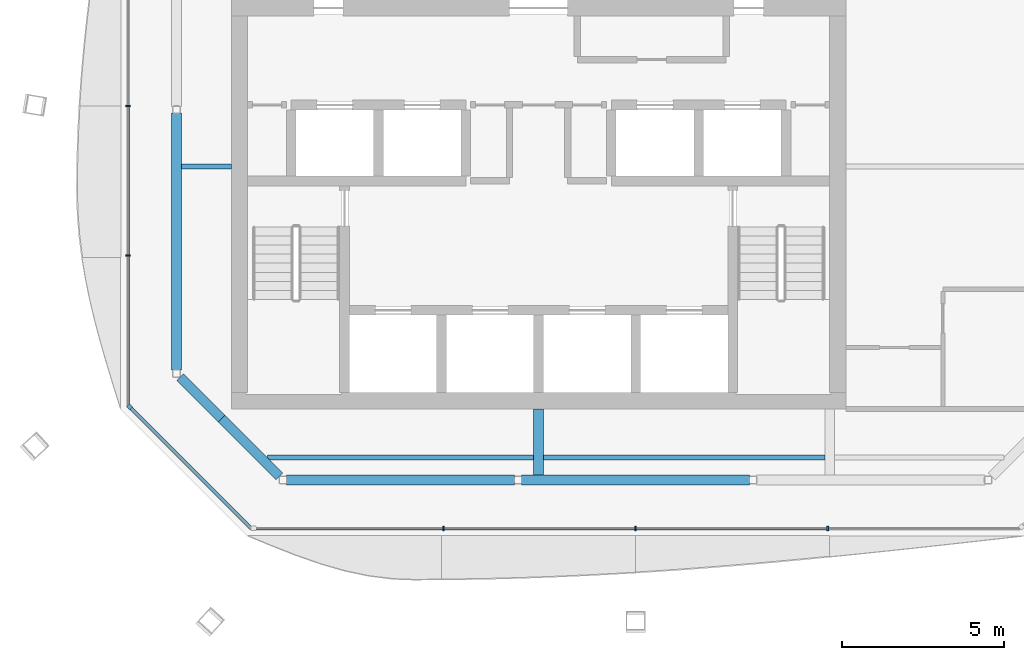
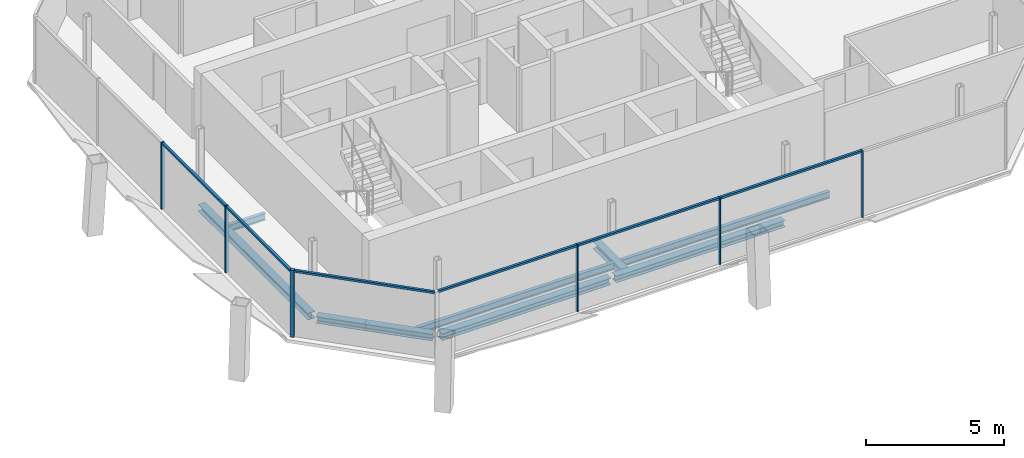
# One storey, part 3 of 13: 12 members, 9 beams, 3 elements without a shape of their own.
"""IFC4 building model written with IfcOpenShell, lengths in metres."""

from ifc_helpers import new_model, si_unit, direction, frame, origin, origin_2d, place, context, subcontext, project, spatial, rectangle, i_section, extrude, material, material_profile, profile_set, type_object, element, aggregate, save


model = new_model("IFC4")

# Units and contexts
model_context = context("Model", 3, precision=1e-05, world=origin(), true_north=direction((0.0, 1.0)))
body_context = subcontext(model_context, "Body", "Model", "MODEL_VIEW")
ifc_project = project(units=[si_unit("LENGTHUNIT", "METRE"), si_unit("AREAUNIT", "SQUARE_METRE"), si_unit("VOLUMEUNIT", "CUBIC_METRE"), si_unit("PLANEANGLEUNIT", "RADIAN"), si_unit("MASSUNIT", "GRAM", prefix="KILO")], contexts=[model_context])

# Site, building, storey
site_placement = place(None, origin())
site = spatial("IfcSite", under=ifc_project, at=site_placement, CompositionType="ELEMENT")
building_placement = place(site_placement, origin())
building = spatial("IfcBuilding", under=site, at=building_placement, Name="Tskaro Facet Tower", CompositionType="ELEMENT")
storey_placement = place(building_placement, frame((0.0, 0.0, 281.550048828125)))
storey = spatial("IfcBuildingStorey", under=building, at=storey_placement, Name="L75", CompositionType="ELEMENT", Elevation=281.550048828125)

# Curtain wall, member
ifc_material_1 = material(Name="Bronze anodised aluminium 6063-T6", Category="aluminium")
curtain_wall_type = type_object("IfcCurtainWallType", Name="Bronze residence curtain wall (FW3)", PredefinedType="NOTDEFINED", material=ifc_material_1)
curtain_wall_1_placement = place(storey_placement, origin())
curtain_wall_1 = element("IfcCurtainWall", 1, at=curtain_wall_1_placement, inside=storey, type_object=curtain_wall_type, Name="FW3 south-west facet L75", PredefinedType="NOTDEFINED")
ifc_material_profile_1 = material_profile(ifc_material_1, rectangle(XDim=0.139892578125, YDim=0.139892578125, at=origin_2d()), Name="Corner post 140x140")
ifc_profile_set_1 = profile_set([ifc_material_profile_1], Name="Bronze anodised aluminium 6063-T6")
member_type_1 = type_object("IfcMemberType", Name="FW3 bronze corner post 140x140", PredefinedType="MULLION", material=ifc_profile_set_1)
member_1_placement = place(storey_placement, frame((-12.6484375, -11.9365234375, 0.0), z_axis=(0.0, 0.0, 1.0), x_axis=(0.707106781187, -0.707106781187, 0.0)))
member_1 = element("IfcMember", 2, at=member_1_placement, type_object=member_type_1, Name="FW3 south-west corner post", PredefinedType="MULLION", context=body_context, shape_type="SweptSolid", body=[
    extrude(rectangle(XDim=0.139892578125, YDim=0.139892578125, at=origin_2d()), origin(), (0.0, 0.0, 1.0), 2.949951171875),
])

# Curtain wall, members
curtain_wall_2_placement = place(storey_placement, origin())
curtain_wall_2 = element("IfcCurtainWall", 3, at=curtain_wall_2_placement, inside=storey, type_object=curtain_wall_type, Name="FW3 south facet L75", PredefinedType="NOTDEFINED")
ifc_material_profile_2 = material_profile(ifc_material_1, rectangle(XDim=0.050048828125, YDim=0.139892578125, at=origin_2d()), Name="Mullion 50x140")
ifc_profile_set_2 = profile_set([ifc_material_profile_2], Name="Bronze anodised aluminium 6063-T6")
member_type_2 = type_object("IfcMemberType", Name="FW3 bronze mullion 50x140", PredefinedType="MULLION", material=ifc_profile_set_2)
member_2_placement = place(storey_placement, frame((-2.943603515625, -15.697998046875, 0.0), z_axis=(0.0, 0.0, 1.0), x_axis=(1.0, 0.0, 0.0)))
member_2 = element("IfcMember", 4, at=member_2_placement, type_object=member_type_2, Name="FW3 south mullion 1", PredefinedType="MULLION", context=body_context, shape_type="SweptSolid", body=[
    extrude(rectangle(XDim=0.050048828125, YDim=0.139892578125, at=origin_2d()), origin(), (0.0, 0.0, 1.0), 2.949951171875),
])
member_3_placement = place(storey_placement, frame((3.0, -15.697998046875, 0.0), z_axis=(0.0, 0.0, 1.0), x_axis=(1.0, 0.0, 0.0)))
member_3 = element("IfcMember", 5, at=member_3_placement, type_object=member_type_2, Name="FW3 south mullion 2", PredefinedType="MULLION", context=body_context, shape_type="SweptSolid", body=[
    extrude(rectangle(XDim=0.050048828125, YDim=0.139892578125, at=origin_2d()), origin(), (0.0, 0.0, 1.0), 2.949951171875),
])
member_4_placement = place(storey_placement, frame((8.943603515625, -15.697998046875, 0.0), z_axis=(0.0, 0.0, 1.0), x_axis=(1.0, 0.0, 0.0)))
member_4 = element("IfcMember", 6, at=member_4_placement, type_object=member_type_2, Name="FW3 south mullion 3", PredefinedType="MULLION", context=body_context, shape_type="SweptSolid", body=[
    extrude(rectangle(XDim=0.050048828125, YDim=0.139892578125, at=origin_2d()), origin(), (0.0, 0.0, 1.0), 2.949951171875),
])

curtain_wall_3_placement = place(storey_placement, origin())
curtain_wall_3 = element("IfcCurtainWall", 7, at=curtain_wall_3_placement, inside=storey, type_object=curtain_wall_type, Name="FW3 west facet L75", PredefinedType="NOTDEFINED")
member_5_placement = place(storey_placement, frame((-12.697998046875, -2.630615234375, 0.0), z_axis=(0.0, 0.0, 1.0), x_axis=(0.0, -1.0, 0.0)))
member_5 = element("IfcMember", 8, at=member_5_placement, type_object=member_type_2, Name="FW3 west mullion 2", PredefinedType="MULLION", context=body_context, shape_type="SweptSolid", body=[
    extrude(rectangle(XDim=0.050048828125, YDim=0.139892578125, at=origin_2d()), origin(), (0.0, 0.0, 1.0), 2.949951171875),
])
member_6_placement = place(storey_placement, frame((-12.697998046875, -7.2587890625, 0.0), z_axis=(0.0, 0.0, 1.0), x_axis=(0.0, -1.0, 0.0)))
member_6 = element("IfcMember", 9, at=member_6_placement, type_object=member_type_2, Name="FW3 west mullion 3", PredefinedType="MULLION", context=body_context, shape_type="SweptSolid", body=[
    extrude(rectangle(XDim=0.050048828125, YDim=0.139892578125, at=origin_2d()), origin(), (0.0, 0.0, 1.0), 2.949951171875),
])

# Member
ifc_material_profile_3 = material_profile(ifc_material_1, rectangle(XDim=0.10009765625, YDim=0.090087890625, at=origin_2d()), Name="Transom 100x90")
ifc_profile_set_3 = profile_set([ifc_material_profile_3], Name="Bronze anodised aluminium 6063-T6")
member_type_3 = type_object("IfcMemberType", Name="FW3 bronze transom 100x90", PredefinedType="USERDEFINED", material=ifc_profile_set_3)
member_7_placement = place(storey_placement, frame((-8.7470703125, -15.697998046875, 2.905029296875), z_axis=(1.0, 0.0, 0.0), x_axis=(0.0, 1.0, 0.0)))
member_7 = element("IfcMember", 10, at=member_7_placement, type_object=member_type_3, Name="FW3 south transom 1.1", ObjectType="TRANSOM", PredefinedType="USERDEFINED", context=body_context, shape_type="SweptSolid", body=[
    extrude(rectangle(XDim=0.10009765625, YDim=0.090087890625, at=origin_2d()), origin(), (0.0, 0.0, 1.0), 5.778564453125),
])

member_8_placement = place(storey_placement, frame((-2.91845703125, -15.697998046875, 2.905029296875), z_axis=(1.0, 0.0, 0.0), x_axis=(0.0, 1.0, 0.0)))
member_8 = element("IfcMember", 11, at=member_8_placement, type_object=member_type_3, Name="FW3 south transom 2.1", ObjectType="TRANSOM", PredefinedType="USERDEFINED", context=body_context, shape_type="SweptSolid", body=[
    extrude(rectangle(XDim=0.10009765625, YDim=0.090087890625, at=origin_2d()), origin(), (0.0, 0.0, 1.0), 5.8935546875),
])

member_9_placement = place(storey_placement, frame((3.02490234375, -15.697998046875, 2.905029296875), z_axis=(1.0, 0.0, 0.0), x_axis=(0.0, 1.0, 0.0)))
member_9 = element("IfcMember", 12, at=member_9_placement, type_object=member_type_3, Name="FW3 south transom 3.1", ObjectType="TRANSOM", PredefinedType="USERDEFINED", context=body_context, shape_type="SweptSolid", body=[
    extrude(rectangle(XDim=0.10009765625, YDim=0.090087890625, at=origin_2d()), origin(), (0.0, 0.0, 1.0), 5.8935546875),
])

aggregate(curtain_wall_2, [member_2, member_3, member_4, member_7, member_8, member_9])

member_10_placement = place(storey_placement, frame((-12.697998046875, -2.655517578125, 2.905029296875), z_axis=(0.0, -1.0, 0.0), x_axis=(1.0, 0.0, 0.0)))
member_10 = element("IfcMember", 13, at=member_10_placement, type_object=member_type_3, Name="FW3 west transom 3.1", ObjectType="TRANSOM", PredefinedType="USERDEFINED", context=body_context, shape_type="SweptSolid", body=[
    extrude(rectangle(XDim=0.10009765625, YDim=0.090087890625, at=origin_2d()), origin(), (0.0, 0.0, 1.0), 4.578125),
])

member_11_placement = place(storey_placement, frame((-12.697998046875, -7.28369140625, 2.905029296875), z_axis=(0.0, -1.0, 0.0), x_axis=(1.0, 0.0, 0.0)))
member_11 = element("IfcMember", 14, at=member_11_placement, type_object=member_type_3, Name="FW3 west transom 4.1", ObjectType="TRANSOM", PredefinedType="USERDEFINED", context=body_context, shape_type="SweptSolid", body=[
    extrude(rectangle(XDim=0.10009765625, YDim=0.090087890625, at=origin_2d()), origin(), (0.0, 0.0, 1.0), 4.603271484375),
])

aggregate(curtain_wall_3, [member_5, member_6, member_10, member_11])

member_12_placement = place(storey_placement, frame((-12.59912109375, -11.986083984375, 2.905029296875), z_axis=(0.707130034012, -0.707083527597, 0.0), x_axis=(0.707083527597, 0.707130034012, 0.0)))
member_12 = element("IfcMember", 15, at=member_12_placement, type_object=member_type_3, Name="FW3 south-west transom 1.1", ObjectType="TRANSOM", PredefinedType="USERDEFINED", context=body_context, shape_type="SweptSolid", body=[
    extrude(rectangle(XDim=0.10009765625, YDim=0.090087890625, at=origin_2d()), origin(), (0.0, 0.0, 1.0), 5.24951171875),
])

aggregate(curtain_wall_1, [member_1, member_12])

# Beams
ifc_material_2 = material(Name="Steel S355J2", Category="steel")
ifc_material_profile_4 = material_profile(ifc_material_2, i_section(OverallWidth=0.300048828125, OverallDepth=0.300048828125, WebThickness=0.010986328125, FlangeThickness=0.01904296875, FilletRadius=0.027099609375, at=origin_2d()), Name="HE 300 B")
ifc_profile_set_4 = profile_set([ifc_material_profile_4], Name="Steel S355J2")
beam_type_1 = type_object("IfcBeamType", Name="HE 300 B ring beam", PredefinedType="BEAM", material=ifc_profile_set_4)
beam_1_placement = place(storey_placement, frame((-7.798095703125, -14.199951171875, -0.2900390625), z_axis=(1.0, 0.0, 0.0), x_axis=(0.0, 1.0, 0.0)))
element("IfcBeam", 16, at=beam_1_placement, inside=storey, type_object=beam_type_1, Name="HE 300 B EB1-6", PredefinedType="BEAM", context=body_context, shape_type="SweptSolid", body=[
    extrude(i_section(OverallWidth=0.300048828125, OverallDepth=0.300048828125, WebThickness=0.010986328125, FlangeThickness=0.01904296875, FilletRadius=0.027099609375, at=origin_2d()), origin(), (0.0, 0.0, 1.0), 7.05908203125),
])
beam_2_placement = place(storey_placement, frame((-0.529052734375, -14.199951171875, -0.2900390625), z_axis=(1.0, 0.0, 0.0), x_axis=(0.0, 1.0, 0.0)))
element("IfcBeam", 17, at=beam_2_placement, inside=storey, type_object=beam_type_1, Name="HE 300 B EB2-6", PredefinedType="BEAM", context=body_context, shape_type="SweptSolid", body=[
    extrude(i_section(OverallWidth=0.300048828125, OverallDepth=0.300048828125, WebThickness=0.010986328125, FlangeThickness=0.01904296875, FilletRadius=0.027099609375, at=origin_2d()), origin(), (0.0, 0.0, 1.0), 7.05810546875),
])
beam_3_placement = place(storey_placement, frame((-11.199951171875, -2.85498046875, -0.2900390625), z_axis=(0.0, -1.0, 0.0), x_axis=(1.0, 0.0, 0.0)))
element("IfcBeam", 18, at=beam_3_placement, inside=storey, type_object=beam_type_1, Name="HE 300 B EB14-6", PredefinedType="BEAM", context=body_context, shape_type="SweptSolid", body=[
    extrude(i_section(OverallWidth=0.300048828125, OverallDepth=0.300048828125, WebThickness=0.010986328125, FlangeThickness=0.01904296875, FilletRadius=0.027099609375, at=origin_2d()), origin(), (0.0, 0.0, 1.0), 7.943115234375),
])
beam_4_placement = place(storey_placement, frame((-11.089111328125, -11.013916015625, -0.2900390625), z_axis=(0.707106781187, -0.707106781187, 0.0), x_axis=(0.707106781187, 0.707106781187, 0.0)))
element("IfcBeam", 19, at=beam_4_placement, inside=storey, type_object=beam_type_1, Name="HE 300 B EB15a-6", PredefinedType="BEAM", context=body_context, shape_type="SweptSolid", body=[
    extrude(i_section(OverallWidth=0.300048828125, OverallDepth=0.300048828125, WebThickness=0.010986328125, FlangeThickness=0.01904296875, FilletRadius=0.027099609375, at=origin_2d()), origin(), (0.0, 0.0, 1.0), 1.821044921875),
])
beam_5_placement = place(storey_placement, frame((-9.801513671875, -12.301513671875, -0.2900390625), z_axis=(0.707106781187, -0.707106781187, 0.0), x_axis=(0.707106781187, 0.707106781187, 0.0)))
element("IfcBeam", 20, at=beam_5_placement, inside=storey, type_object=beam_type_1, Name="HE 300 B EB15b-6", PredefinedType="BEAM", context=body_context, shape_type="SweptSolid", body=[
    extrude(i_section(OverallWidth=0.300048828125, OverallDepth=0.300048828125, WebThickness=0.010986328125, FlangeThickness=0.01904296875, FilletRadius=0.027099609375, at=origin_2d()), origin(), (0.0, 0.0, 1.0), 2.528076171875),
])
ifc_material_profile_5 = material_profile(ifc_material_2, i_section(OverallWidth=0.300048828125, OverallDepth=0.330078125, WebThickness=0.009521484375, FlangeThickness=0.0166015625, FilletRadius=0.027099609375, at=origin_2d()), Name="HE 340 A")
ifc_profile_set_5 = profile_set([ifc_material_profile_5], Name="Steel S355J2")
beam_type_2 = type_object("IfcBeamType", Name="HE 340 A girder", PredefinedType="BEAM", material=ifc_profile_set_5)
beam_6_placement = place(storey_placement, frame((0.0, -14.050048828125, -0.304931640625), z_axis=(0.0, 1.0, 0.0), x_axis=(-1.0, 0.0, 0.0)))
element("IfcBeam", 21, at=beam_6_placement, inside=storey, type_object=beam_type_2, Name="HE 340 A GB4-1-6", PredefinedType="BEAM", context=body_context, shape_type="SweptSolid", body=[
    extrude(i_section(OverallWidth=0.300048828125, OverallDepth=0.330078125, WebThickness=0.009521484375, FlangeThickness=0.0166015625, FilletRadius=0.027099609375, at=origin_2d()), origin(), (0.0, 0.0, 1.0), 2.050048828125),
])
ifc_material_profile_6 = material_profile(ifc_material_2, i_section(OverallWidth=0.14990234375, OverallDepth=0.300048828125, WebThickness=0.007080078125, FlangeThickness=0.0107421875, FilletRadius=0.014892578125, at=origin_2d()), Name="IPE 300")
ifc_profile_set_6 = profile_set([ifc_material_profile_6], Name="Steel S355J2")
beam_type_3 = type_object("IfcBeamType", Name="IPE 300 secondary beam", PredefinedType="BEAM", material=ifc_profile_set_6)
beam_7_placement = place(storey_placement, frame((-8.39111328125, -13.5, -0.2900390625), z_axis=(1.0, 0.0, 0.0), x_axis=(0.0, 1.0, 0.0)))
element("IfcBeam", 22, at=beam_7_placement, inside=storey, type_object=beam_type_3, Name="IPE 300 SB2a-1-6", PredefinedType="BEAM", context=body_context, shape_type="SweptSolid", body=[
    extrude(i_section(OverallWidth=0.14990234375, OverallDepth=0.300048828125, WebThickness=0.007080078125, FlangeThickness=0.0107421875, FilletRadius=0.014892578125, at=origin_2d()), origin(), (0.0, 0.0, 1.0), 8.2412109375),
])
beam_8_placement = place(storey_placement, frame((0.14990234375, -13.5, -0.2900390625), z_axis=(1.0, 0.0, 0.0), x_axis=(0.0, 1.0, 0.0)))
element("IfcBeam", 23, at=beam_8_placement, inside=storey, type_object=beam_type_3, Name="IPE 300 SB2a-2-6", PredefinedType="BEAM", context=body_context, shape_type="SweptSolid", body=[
    extrude(i_section(OverallWidth=0.14990234375, OverallDepth=0.300048828125, WebThickness=0.007080078125, FlangeThickness=0.0107421875, FilletRadius=0.014892578125, at=origin_2d()), origin(), (0.0, 0.0, 1.0), 8.7001953125),
])
beam_9_placement = place(storey_placement, frame((-11.050048828125, -4.5, -0.2900390625), z_axis=(1.0, 0.0, 0.0), x_axis=(0.0, 1.0, 0.0)))
element("IfcBeam", 24, at=beam_9_placement, inside=storey, type_object=beam_type_3, Name="IPE 300 SB3a-1-6", PredefinedType="BEAM", context=body_context, shape_type="SweptSolid", body=[
    extrude(i_section(OverallWidth=0.14990234375, OverallDepth=0.300048828125, WebThickness=0.007080078125, FlangeThickness=0.0107421875, FilletRadius=0.014892578125, at=origin_2d()), origin(), (0.0, 0.0, 1.0), 1.550048828125),
])

save(model, "model.ifc")
